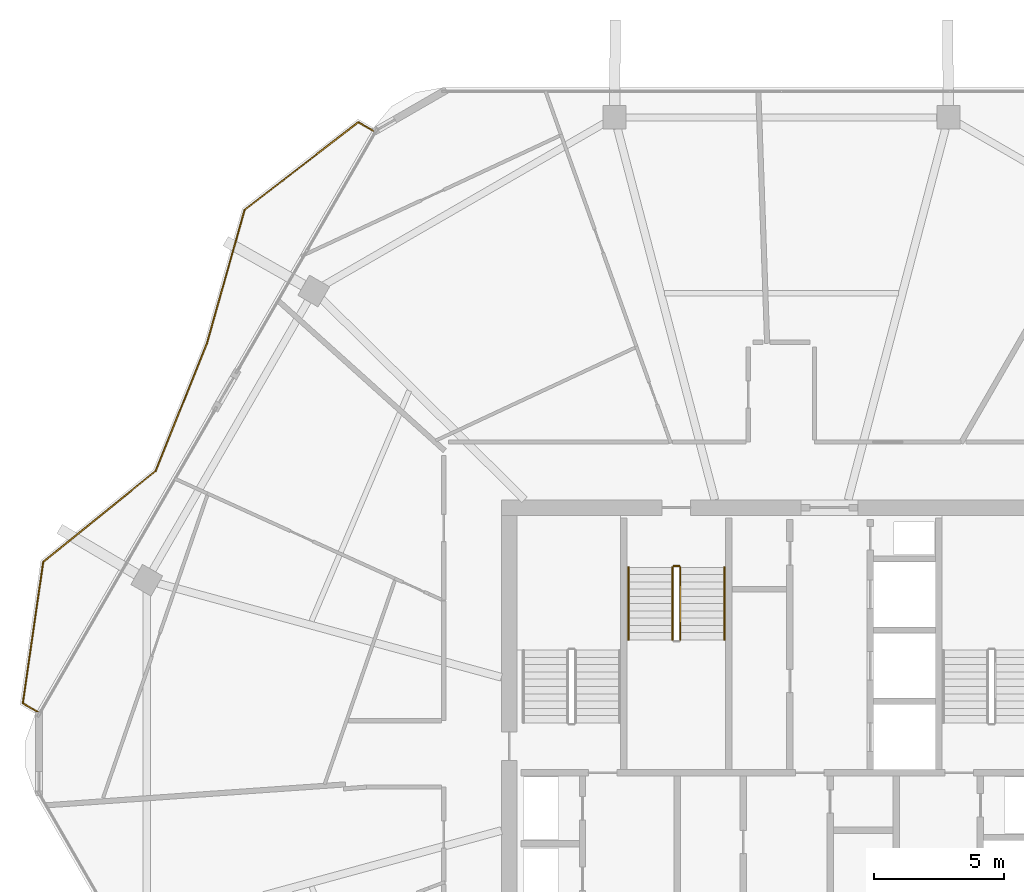
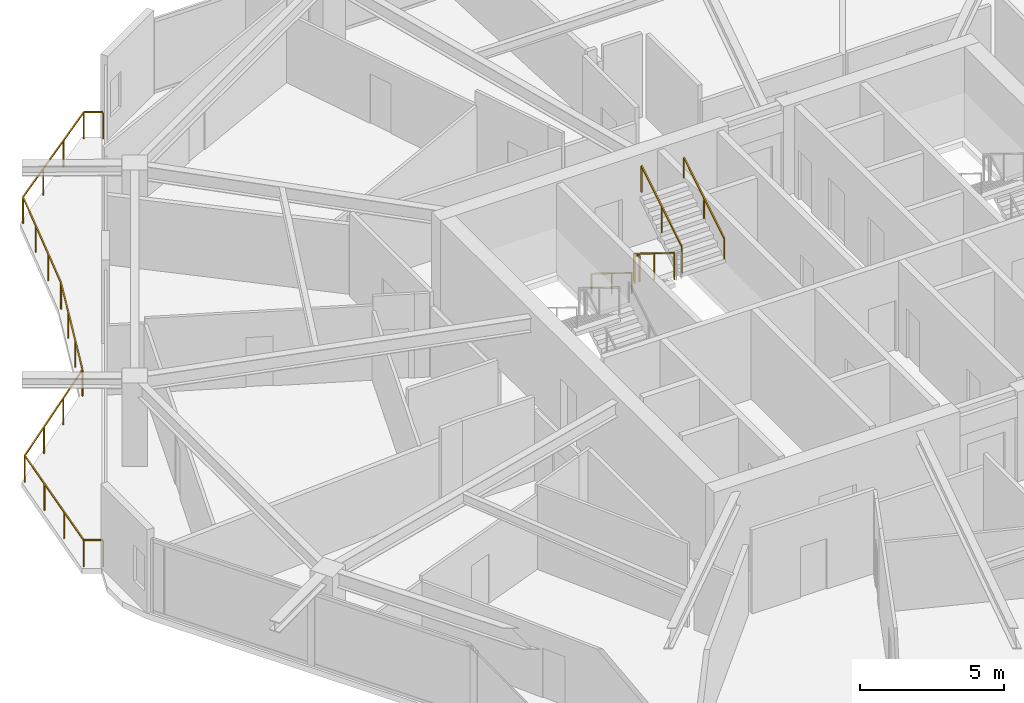
# One storey, part 25 of 25: 6 railings.
"""IFC4 building model written with IfcOpenShell, lengths in metres."""

from ifc_helpers import new_model, si_unit, direction, frame, origin, origin_2d, place, context, subcontext, project, spatial, rectangle, extrude, material, type_object, element, save


model = new_model("IFC4")

# Units and contexts
model_context = context("Model", 3, precision=1e-05, world=origin(), true_north=direction((0.0, 1.0)))
body_context = subcontext(model_context, "Body", "Model", "MODEL_VIEW")
ifc_project = project(units=[si_unit("LENGTHUNIT", "METRE"), si_unit("AREAUNIT", "SQUARE_METRE"), si_unit("VOLUMEUNIT", "CUBIC_METRE"), si_unit("PLANEANGLEUNIT", "RADIAN"), si_unit("MASSUNIT", "GRAM", prefix="KILO")], contexts=[model_context])

# Site, building, storey
site_placement = place(None, origin())
site = spatial("IfcSite", under=ifc_project, at=site_placement, CompositionType="ELEMENT")
building_placement = place(site_placement, origin())
building = spatial("IfcBuilding", under=site, at=building_placement, Name="Zuhravey Tower", CompositionType="ELEMENT")
storey_placement = place(building_placement, frame((0.0, 0.0, 235.0)))
storey = spatial("IfcBuildingStorey", under=building, at=storey_placement, Name="L59", CompositionType="ELEMENT", Elevation=235.0)

# Railings
ifc_material_1 = material(Name="Stainless steel 316 and laminated glass", Category="steel")
railing_type_1 = type_object("IfcRailingType", Name="Balcony & Terrace Guardrail 1150", PredefinedType="BALUSTRADE", material=ifc_material_1)
railing_1_placement = place(storey_placement, frame((7.31689453125, 33.61669921875, 0.0)))
element("IfcRailing", 1, at=railing_1_placement, inside=storey, type_object=railing_type_1, Name="L59 Face 3 Wave Balcony Guardrail GR1", PredefinedType="BALUSTRADE", context=body_context, shape_type="SweptSolid", body=[
    extrude(rectangle(XDim=0.048095703125, YDim=0.048095703125, at=origin_2d()), frame((-0.001708984375, 0.0009765625, 1.1259765625), z_axis=(-0.866179539737, 0.499732933617, 0.0), x_axis=(-0.499732933617, -0.866179539737, 0.0)), (0.0, 0.0, 1.0), 0.668212890625),
    extrude(rectangle(XDim=0.048095703125, YDim=0.048095703125, at=origin_2d()), frame((-0.58203125, 0.337890625, 1.1259765625), z_axis=(0.142872523285, 0.989741098515, 0.0), x_axis=(-0.989741098515, 0.142872523285, 0.0)), (0.0, 0.0, 1.0), 5.5068359375),
    extrude(rectangle(XDim=0.048095703125, YDim=0.048095703125, at=origin_2d()), frame((0.20654296875, 5.79150390625, 1.1259765625), z_axis=(0.777495644755, 0.628888322668, 0.0), x_axis=(-0.628888322668, 0.777495644755, 0.0)), (0.0, 0.0, 1.0), 5.57177734375),
    extrude(rectangle(XDim=0.048095703125, YDim=0.048095703125, at=origin_2d()), frame((4.541015625, 9.298828125, 1.1259765625), z_axis=(0.373224411215, 0.927741094742, 0.0), x_axis=(-0.927741094742, 0.373224411215, 0.0)), (0.0, 0.0, 1.0), 5.29638671875),
    extrude(rectangle(XDim=0.048095703125, YDim=0.048095703125, at=origin_2d()), frame((6.51904296875, 14.21630859375, 1.1259765625), z_axis=(0.271533809099, 0.962428901538, 0.0), x_axis=(-0.962428901538, 0.271533809099, 0.0)), (0.0, 0.0, 1.0), 5.350341796875),
    extrude(rectangle(XDim=0.048095703125, YDim=0.048095703125, at=origin_2d()), frame((7.973876953125, 19.36865234375, 1.1259765625), z_axis=(0.79172866707, 0.610872914557, 0.0), x_axis=(-0.610872914557, 0.79172866707, 0.0)), (0.0, 0.0, 1.0), 5.5361328125),
    extrude(rectangle(XDim=0.048095703125, YDim=0.048095703125, at=origin_2d()), frame((12.3603515625, 22.750732421875, 1.1259765625), z_axis=(0.866046626695, -0.499963239039, 0.0), x_axis=(0.499963239039, 0.866046626695, 0.0)), (0.0, 0.0, 1.0), 0.6689453125),
    extrude(rectangle(XDim=0.0419921875, YDim=0.0419921875, at=origin_2d()), origin(), (0.0, 0.0, 1.0), 1.099853515625),
    extrude(rectangle(XDim=0.0419921875, YDim=0.0419921875, at=origin_2d()), frame((-0.582275390625, 0.3359375, 0.0)), (0.0, 0.0, 1.0), 1.099853515625),
    extrude(rectangle(XDim=0.0419921875, YDim=0.0419921875, at=origin_2d()), frame((-0.31982421875, 2.154052734375, 0.0)), (0.0, 0.0, 1.0), 1.099853515625),
    extrude(rectangle(XDim=0.0419921875, YDim=0.0419921875, at=origin_2d()), frame((-0.057373046875, 3.97216796875, 0.0)), (0.0, 0.0, 1.0), 1.099853515625),
    extrude(rectangle(XDim=0.0419921875, YDim=0.0419921875, at=origin_2d()), frame((0.205078125, 5.790283203125, 0.0)), (0.0, 0.0, 1.0), 1.099853515625),
    extrude(rectangle(XDim=0.0419921875, YDim=0.0419921875, at=origin_2d()), frame((1.650146484375, 6.959228515625, 0.0)), (0.0, 0.0, 1.0), 1.099853515625),
    extrude(rectangle(XDim=0.0419921875, YDim=0.0419921875, at=origin_2d()), frame((3.09521484375, 8.1279296875, 0.0)), (0.0, 0.0, 1.0), 1.099853515625),
    extrude(rectangle(XDim=0.0419921875, YDim=0.0419921875, at=origin_2d()), frame((4.540283203125, 9.296875, 0.0)), (0.0, 0.0, 1.0), 1.099853515625),
    extrude(rectangle(XDim=0.0419921875, YDim=0.0419921875, at=origin_2d()), frame((5.19970703125, 10.93603515625, 0.0)), (0.0, 0.0, 1.0), 1.099853515625),
    extrude(rectangle(XDim=0.0419921875, YDim=0.0419921875, at=origin_2d()), frame((5.859130859375, 12.5751953125, 0.0)), (0.0, 0.0, 1.0), 1.099853515625),
    extrude(rectangle(XDim=0.0419921875, YDim=0.0419921875, at=origin_2d()), frame((6.5185546875, 14.21435546875, 0.0)), (0.0, 0.0, 1.0), 1.099853515625),
    extrude(rectangle(XDim=0.0419921875, YDim=0.0419921875, at=origin_2d()), frame((7.003173828125, 15.93212890625, 0.0)), (0.0, 0.0, 1.0), 1.099853515625),
    extrude(rectangle(XDim=0.0419921875, YDim=0.0419921875, at=origin_2d()), frame((7.48779296875, 17.649658203125, 0.0)), (0.0, 0.0, 1.0), 1.099853515625),
    extrude(rectangle(XDim=0.0419921875, YDim=0.0419921875, at=origin_2d()), frame((7.972412109375, 19.367431640625, 0.0)), (0.0, 0.0, 1.0), 1.099853515625),
    extrude(rectangle(XDim=0.0419921875, YDim=0.0419921875, at=origin_2d()), frame((9.4345703125, 20.49560546875, 0.0)), (0.0, 0.0, 1.0), 1.099853515625),
    extrude(rectangle(XDim=0.0419921875, YDim=0.0419921875, at=origin_2d()), frame((10.896484375, 21.62353515625, 0.0)), (0.0, 0.0, 1.0), 1.099853515625),
    extrude(rectangle(XDim=0.0419921875, YDim=0.0419921875, at=origin_2d()), frame((12.358642578125, 22.751708984375, 0.0)), (0.0, 0.0, 1.0), 1.099853515625),
    extrude(rectangle(XDim=0.0419921875, YDim=0.0419921875, at=origin_2d()), frame((12.94140625, 22.415283203125, 0.0)), (0.0, 0.0, 1.0), 1.099853515625),
])
ifc_material_2 = material(Name="Brushed stainless steel", Category="steel")
railing_type_2 = type_object("IfcRailingType", Name="Stair Wall Handrail 900", PredefinedType="HANDRAIL", material=ifc_material_2)
railing_2_placement = place(storey_placement, frame((30.10009765625, 39.199951171875, 0.172607421875)))
element("IfcRailing", 2, at=railing_2_placement, inside=storey, type_object=railing_type_2, Name="L59 ST3 stair handrail 1", PredefinedType="HANDRAIL", context=body_context, shape_type="SweptSolid", body=[
    extrude(rectangle(XDim=0.048095703125, YDim=0.048095703125, at=origin_2d()), frame((0.0, -0.001708984375, 0.876953125), z_axis=(0.0, -0.851089632645, 0.525020415988), x_axis=(1.0, 0.0, 0.0)), (0.0, 0.0, 1.0), 3.285888671875),
    extrude(rectangle(XDim=0.0419921875, YDim=0.0419921875, at=origin_2d()), origin(), (0.0, 0.0, 1.0), 0.849853515625),
    extrude(rectangle(XDim=0.0419921875, YDim=0.0419921875, at=origin_2d()), frame((0.0, -1.39990234375, 0.86376953125)), (0.0, 0.0, 1.0), 0.849853515625),
    extrude(rectangle(XDim=0.0419921875, YDim=0.0419921875, at=origin_2d()), frame((0.0, -2.800048828125, 1.727294921875)), (0.0, 0.0, 1.0), 0.849853515625),
])
railing_3_placement = place(storey_placement, frame((33.800048828125, 36.39990234375, 2.07275390625)))
element("IfcRailing", 3, at=railing_3_placement, inside=storey, type_object=railing_type_2, Name="L59 ST3 stair handrail 2", PredefinedType="HANDRAIL", context=body_context, shape_type="SweptSolid", body=[
    extrude(rectangle(XDim=0.048095703125, YDim=0.048095703125, at=origin_2d()), frame((0.0, 0.001708984375, 0.876953125), z_axis=(0.0, 0.851089632645, 0.525020415988), x_axis=(-1.0, 0.0, 0.0)), (0.0, 0.0, 1.0), 3.285888671875),
    extrude(rectangle(XDim=0.0419921875, YDim=0.0419921875, at=origin_2d()), origin(), (0.0, 0.0, 1.0), 0.849853515625),
    extrude(rectangle(XDim=0.0419921875, YDim=0.0419921875, at=origin_2d()), frame((0.0, 1.39990234375, 0.86376953125)), (0.0, 0.0, 1.0), 0.849853515625),
    extrude(rectangle(XDim=0.0419921875, YDim=0.0419921875, at=origin_2d()), frame((0.0, 2.800048828125, 1.727294921875)), (0.0, 0.0, 1.0), 0.849853515625),
])
ifc_material_3 = material(Name="Painted tubular steel", Category="steel")
railing_type_3 = type_object("IfcRailingType", Name="Stair Well Guardrail 1150", PredefinedType="GUARDRAIL", material=ifc_material_3)
railing_4_placement = place(storey_placement, frame((31.800048828125, 39.199951171875, 0.172607421875)))
element("IfcRailing", 4, at=railing_4_placement, inside=storey, type_object=railing_type_3, Name="L59 ST3 stair guard 1", PredefinedType="GUARDRAIL", context=body_context, shape_type="SweptSolid", body=[
    extrude(rectangle(XDim=0.048095703125, YDim=0.048095703125, at=origin_2d()), frame((0.0, -0.001708984375, 1.126953125), z_axis=(0.0, -0.851089632645, 0.525020415988), x_axis=(1.0, 0.0, 0.0)), (0.0, 0.0, 1.0), 3.285888671875),
    extrude(rectangle(XDim=0.0419921875, YDim=0.0419921875, at=origin_2d()), origin(), (0.0, 0.0, 1.0), 1.099853515625),
    extrude(rectangle(XDim=0.0419921875, YDim=0.0419921875, at=origin_2d()), frame((0.0, -1.39990234375, 0.86376953125)), (0.0, 0.0, 1.0), 1.099853515625),
    extrude(rectangle(XDim=0.0419921875, YDim=0.0419921875, at=origin_2d()), frame((0.0, -2.800048828125, 1.727294921875)), (0.0, 0.0, 1.0), 1.099853515625),
])
railing_5_placement = place(storey_placement, frame((32.10009765625, 36.39990234375, 2.07275390625)))
element("IfcRailing", 5, at=railing_5_placement, inside=storey, type_object=railing_type_3, Name="L59 ST3 stair guard 3", PredefinedType="GUARDRAIL", context=body_context, shape_type="SweptSolid", body=[
    extrude(rectangle(XDim=0.048095703125, YDim=0.048095703125, at=origin_2d()), frame((0.0, 0.001708984375, 1.126953125), z_axis=(0.0, 0.851089632645, 0.525020415988), x_axis=(-1.0, 0.0, 0.0)), (0.0, 0.0, 1.0), 3.285888671875),
    extrude(rectangle(XDim=0.0419921875, YDim=0.0419921875, at=origin_2d()), origin(), (0.0, 0.0, 1.0), 1.099853515625),
    extrude(rectangle(XDim=0.0419921875, YDim=0.0419921875, at=origin_2d()), frame((0.0, 1.39990234375, 0.86376953125)), (0.0, 0.0, 1.0), 1.099853515625),
    extrude(rectangle(XDim=0.0419921875, YDim=0.0419921875, at=origin_2d()), frame((0.0, 2.800048828125, 1.727294921875)), (0.0, 0.0, 1.0), 1.099853515625),
])
railing_6_placement = place(storey_placement, frame((31.85009765625, 39.25, 0.0)))
element("IfcRailing", 6, at=railing_6_placement, inside=storey, type_object=railing_type_3, Name="L59 ST3 stair guard 4", PredefinedType="GUARDRAIL", context=body_context, shape_type="SweptSolid", body=[
    extrude(rectangle(XDim=0.048095703125, YDim=0.048095703125, at=origin_2d()), frame((0.001953125, 0.0, 1.1259765625), z_axis=(1.0, 0.0, 0.0), x_axis=(0.0, 1.0, 0.0)), (0.0, 0.0, 1.0), 0.196044921875),
    extrude(rectangle(XDim=0.0419921875, YDim=0.0419921875, at=origin_2d()), origin(), (0.0, 0.0, 1.0), 1.099853515625),
    extrude(rectangle(XDim=0.0419921875, YDim=0.0419921875, at=origin_2d()), frame((0.199951171875, 0.0, 0.0)), (0.0, 0.0, 1.0), 1.099853515625),
])

save(model, "model.ifc")
